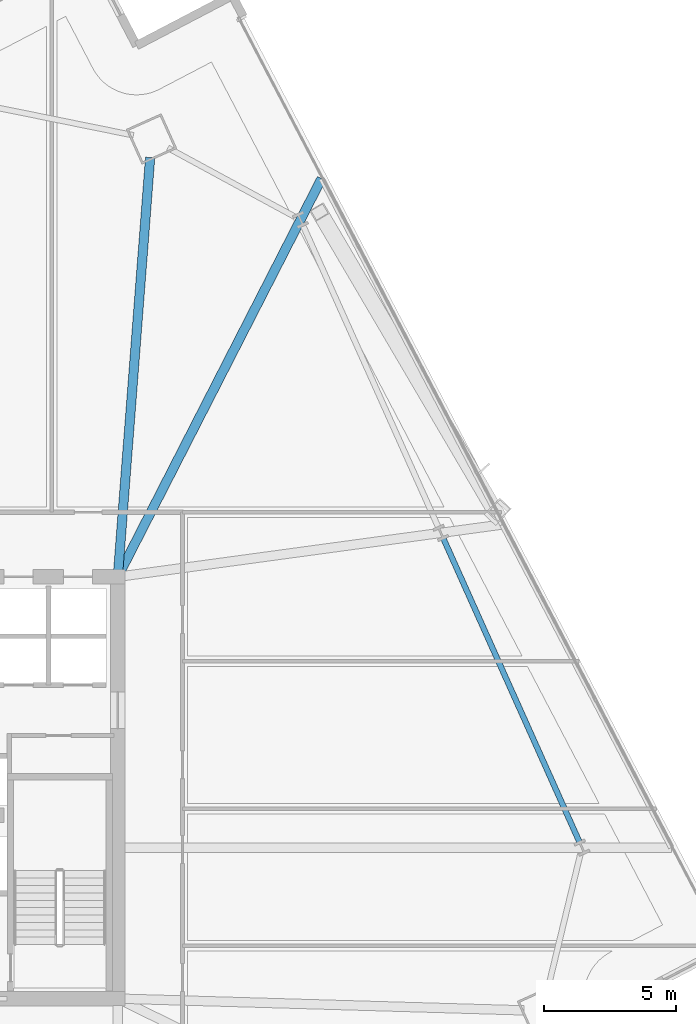
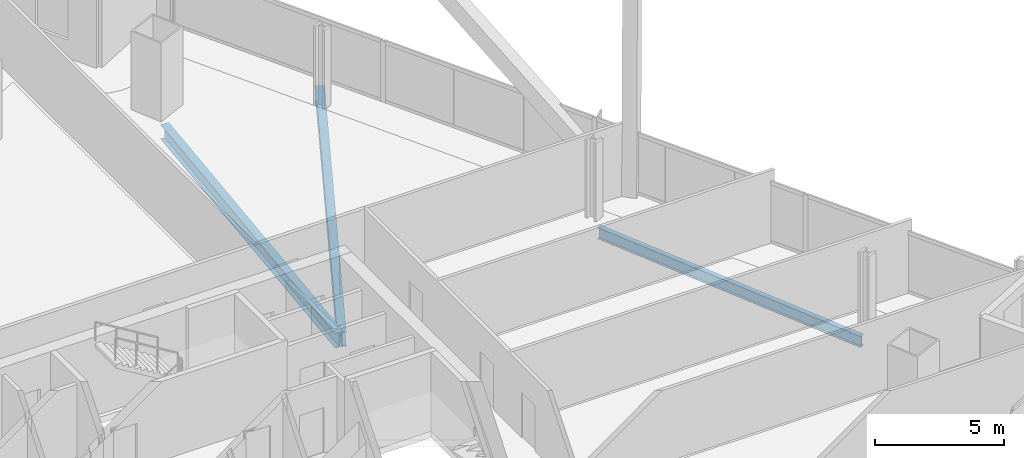
# One storey, part 19 of 33: 3 beams.
"""IFC4 building model written with IfcOpenShell, lengths in metres."""

from ifc_helpers import new_model, si_unit, direction, frame, origin, origin_2d, place, context, subcontext, project, spatial, i_section, extrude, material, material_profile, profile_set, type_object, element, save


model = new_model("IFC4")

# Units and contexts
model_context = context("Model", 3, precision=1e-05, world=origin(), true_north=direction((0.0, 1.0)))
body_context = subcontext(model_context, "Body", "Model", "MODEL_VIEW")
ifc_project = project(units=[si_unit("LENGTHUNIT", "METRE"), si_unit("AREAUNIT", "SQUARE_METRE"), si_unit("VOLUMEUNIT", "CUBIC_METRE"), si_unit("PLANEANGLEUNIT", "RADIAN"), si_unit("MASSUNIT", "GRAM", prefix="KILO")], contexts=[model_context])

# Site, building, storey
site_placement = place(None, origin())
site = spatial("IfcSite", under=ifc_project, at=site_placement, CompositionType="ELEMENT")
building_placement = place(site_placement, origin())
building = spatial("IfcBuilding", under=site, at=building_placement, Name="Haldenkirk Collegiate Tower", CompositionType="ELEMENT")
storey_placement = place(building_placement, frame((0.0, 0.0, 120.449951171875)))
storey = spatial("IfcBuildingStorey", under=building, at=storey_placement, Name="L29", CompositionType="ELEMENT", Elevation=120.449951171875)

# Beams
ifc_material = material(Name="Steel ASTM A992 Grade 50", Category="steel")
ifc_material_profile_1 = material_profile(ifc_material, i_section(OverallWidth=0.35498046875, OverallDepth=0.696044921875, WebThickness=0.015380859375, FlangeThickness=0.02490234375, at=origin_2d()), Name="W27X146")
ifc_profile_set_1 = profile_set([ifc_material_profile_1], Name="Steel ASTM A992 Grade 50")
beam_type_1 = type_object("IfcBeamType", Name="BM-GIRDER-W27X146", PredefinedType="BEAM", material=ifc_profile_set_1)
beam_1_placement = place(storey_placement, frame((46.226806640625, 49.9072265625, -0.64794921875), z_axis=(-0.076898657581, -0.997038914217, 0.0), x_axis=(0.997038914217, -0.076898657581, 0.0)))
element("IfcBeam", 1, at=beam_1_placement, inside=storey, type_object=beam_type_1, Name="L29 primary floor girder 03", PredefinedType="BEAM", context=body_context, shape_type="SweptSolid", body=[
    extrude(i_section(OverallWidth=0.35498046875, OverallDepth=0.696044921875, WebThickness=0.015380859375, FlangeThickness=0.02490234375, at=origin_2d()), origin(), (0.0, 0.0, 1.0), 15.699462890625),
])
beam_2_placement = place(storey_placement, frame((52.7294921875, 49.1044921875, -0.64794921875), z_axis=(-0.455550116128, -0.890210139066, 0.0), x_axis=(0.890210139066, -0.455550116128, 0.0)))
element("IfcBeam", 2, at=beam_2_placement, inside=storey, type_object=beam_type_1, Name="L29 primary floor girder 10", PredefinedType="BEAM", context=body_context, shape_type="SweptSolid", body=[
    extrude(i_section(OverallWidth=0.35498046875, OverallDepth=0.696044921875, WebThickness=0.015380859375, FlangeThickness=0.02490234375, at=origin_2d()), origin(), (0.0, 0.0, 1.0), 16.71240234375),
])
ifc_material_profile_2 = material_profile(ifc_material, i_section(OverallWidth=0.2119140625, OverallDepth=0.5439453125, WebThickness=0.01318359375, FlangeThickness=0.021240234375, at=origin_2d()), Name="W21X83")
ifc_profile_set_2 = profile_set([ifc_material_profile_2], Name="Steel ASTM A992 Grade 50")
beam_type_2 = type_object("IfcBeamType", Name="BM-SPANDREL-W21X83", PredefinedType="SPANDREL", material=ifc_profile_set_2)
beam_3_placement = place(storey_placement, frame((62.50830078125, 23.951416015625, -0.572021484375), z_axis=(-0.409131045523, 0.91247563671, 0.0), x_axis=(-0.91247563671, -0.409131045523, 0.0)))
element("IfcBeam", 3, at=beam_3_placement, inside=storey, type_object=beam_type_2, Name="L29 perimeter spandrel beam 06", PredefinedType="SPANDREL", context=body_context, shape_type="SweptSolid", body=[
    extrude(i_section(OverallWidth=0.2119140625, OverallDepth=0.5439453125, WebThickness=0.01318359375, FlangeThickness=0.021240234375, at=origin_2d()), origin(), (0.0, 0.0, 1.0), 12.593994140625),
])

save(model, "model.ifc")
